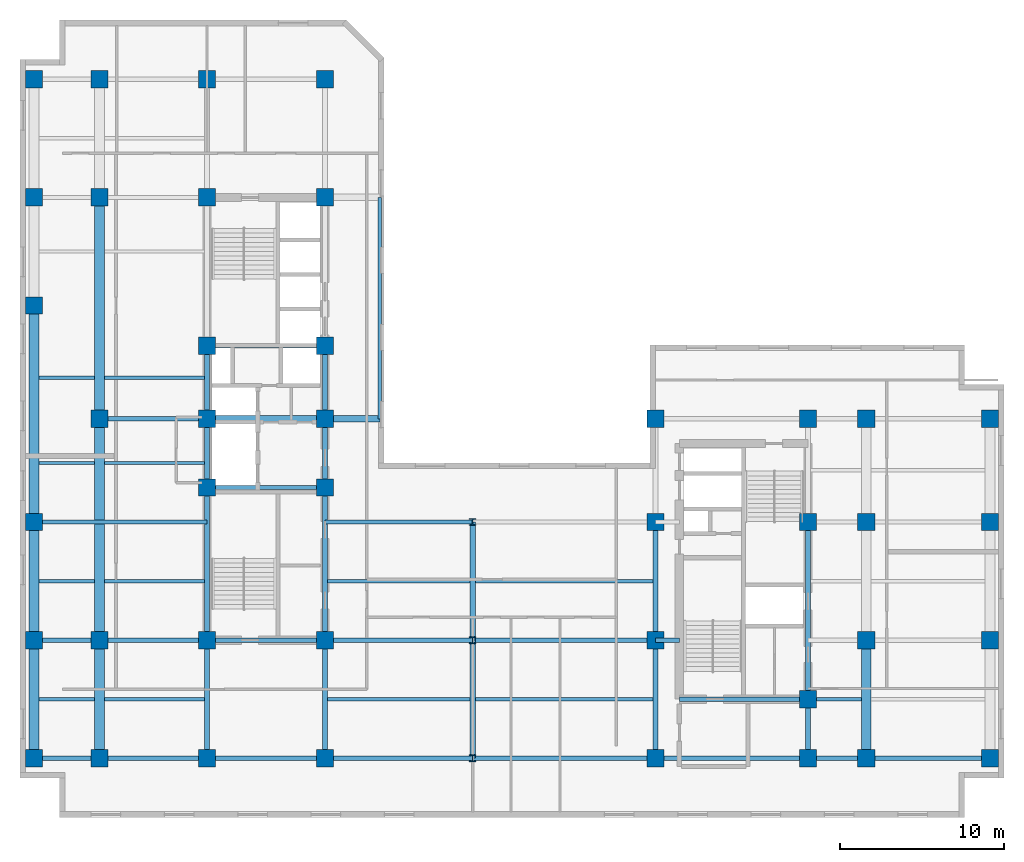
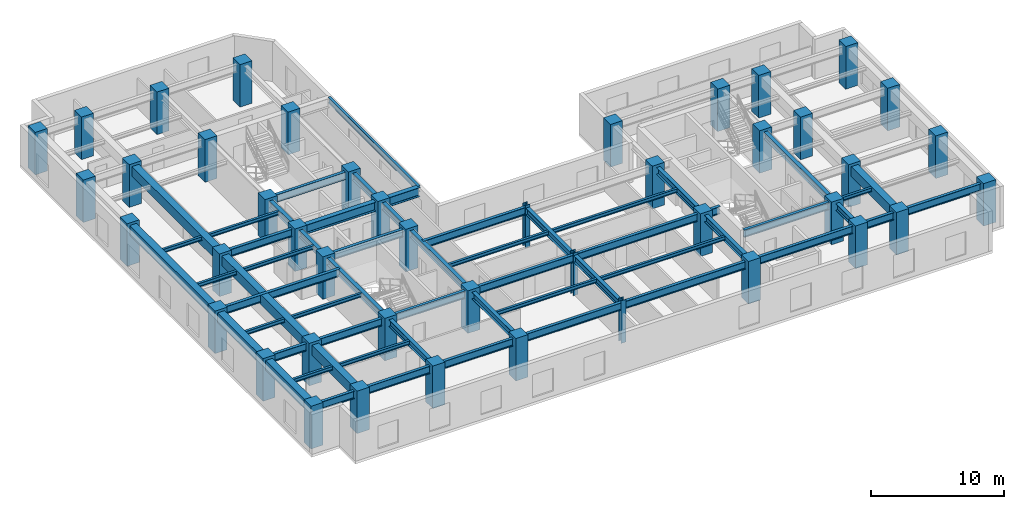
# One storey, part 1 of 9: 56 beams, 44 columns.
"""IFC4 building model written with IfcOpenShell, lengths in metres."""

from ifc_helpers import new_model, entity, si_unit, converted_unit, direction, frame, origin_with_axes, origin_2d_with_axis, place, context, subcontext, project, spatial, rectangle, i_section, extrude, material, material_profile, profile_set, type_object, element, save


model = new_model("IFC4")

# Units and contexts
model_context = context("Model", 3, precision=1e-05, world=origin_with_axes(), true_north=direction((0.0, 1.0)))
body_context = subcontext(model_context, "Body", "Model", "MODEL_VIEW")
ifc_project = project(units=[si_unit("LENGTHUNIT", "METRE"), si_unit("AREAUNIT", "SQUARE_METRE"), si_unit("VOLUMEUNIT", "CUBIC_METRE"), converted_unit("PLANEANGLEUNIT", "DEGREE", entity("IfcPlaneAngleMeasure", 0.017453292519943295), si_unit("PLANEANGLEUNIT", "RADIAN"), dimensions=[0, 0, 0, 0, 0, 0, 0]), si_unit("MASSUNIT", "GRAM", prefix="KILO"), si_unit("THERMODYNAMICTEMPERATUREUNIT", "KELVIN")], contexts=[model_context])

# Site, building, storey
site_placement = place(None, origin_with_axes())
site = spatial("IfcSite", under=ifc_project, at=site_placement, CompositionType="ELEMENT")
building_placement = place(site_placement, origin_with_axes())
building = spatial("IfcBuilding", under=site, at=building_placement, Name="Varnlund Millrace Tower", CompositionType="ELEMENT")
storey_placement = place(building_placement, frame((0.0, 0.0, 144.6), z_axis=(0.0, 0.0, 1.0), x_axis=(1.0, 0.0, 0.0)))
storey = spatial("IfcBuildingStorey", under=building, at=storey_placement, Name="L35", CompositionType="ELEMENT", Elevation=144.6)

# Columns
ifc_material_1 = material(Name="Steel ASTM A913 Grade 65", Category="steel")
ifc_material_profile_1 = material_profile(ifc_material_1, i_section(OverallWidth=0.406, OverallDepth=0.416, WebThickness=0.0298, FlangeThickness=0.048, FilletRadius=0.022, at=origin_2d_with_axis()), Name="Steel ASTM A913 Grade 65")
ifc_profile_set_1 = profile_set([ifc_material_profile_1], Name="Steel ASTM A913 Grade 65")
column_type_1 = type_object("IfcColumnType", Name="Type-Col-Int-W14X257", PredefinedType="COLUMN", material=ifc_profile_set_1)
for number, where, z_axis, x_axis, name in (
    (1, (27.6, 3.6, 0.0), (0.0, 0.0, 1.0), (1.0, 0.0, 0.0), "Type-Col-Int-W14X257"),
    (2, (27.6, 10.8, 0.0), (0.0, 0.0, 1.0), (1.0, 0.0, 0.0), "Type-Col-Int-W14X257"),
    (3, (27.6, 18.0, 0.0), (0.0, 0.0, 1.0), (1.0, 0.0, 0.0), "Type-Col-Int-W14X257"),
):
    element("IfcColumn", number, at=place(storey_placement, frame(where, z_axis=z_axis, x_axis=x_axis)), inside=storey, type_object=column_type_1, Name=name, PredefinedType="COLUMN", context=body_context, shape_type="SweptSolid", body=[
        extrude(i_section(OverallWidth=0.406, OverallDepth=0.416, WebThickness=0.0298, FlangeThickness=0.048, FilletRadius=0.022, at=origin_2d_with_axis()), origin_with_axes(), (0.0, 0.0, 1.0), 3.9),
    ])
ifc_material_2 = material(Name="Concrete C70/85", Category="concrete")
ifc_material_profile_2 = material_profile(ifc_material_2, rectangle(XDim=1.05, YDim=1.05, at=origin_2d_with_axis()), Name="Concrete C70/85")
ifc_profile_set_2 = profile_set([ifc_material_profile_2], Name="Concrete C70/85")
column_type_2 = type_object("IfcColumnType", Name="Type-Col-RC1050-C70", PredefinedType="COLUMN", material=ifc_profile_set_2)
for number, where, z_axis, x_axis, name in (
    (4, (11.4, 3.6, 0.0), (0.0, 0.0, 1.0), (1.0, 0.0, 0.0), "Type-Col-RC1050-C70"),
    (5, (11.4, 10.8, 0.0), (0.0, 0.0, 1.0), (1.0, 0.0, 0.0), "Type-Col-RC1050-C70"),
    (6, (11.4, 20.1, 0.0), (0.0, 0.0, 1.0), (1.0, 0.0, 0.0), "Type-Col-RC1050-C70"),
    (7, (11.4, 24.3, 0.0), (0.0, 0.0, 1.0), (1.0, 0.0, 0.0), "Type-Col-RC1050-C70"),
    (8, (11.4, 28.75, 0.0), (0.0, 0.0, 1.0), (1.0, 0.0, 0.0), "Type-Col-RC1050-C70"),
    (9, (11.4, 37.8, 0.0), (0.0, 0.0, 1.0), (1.0, 0.0, 0.0), "Type-Col-RC1050-C70"),
    (10, (11.4, 45.0, 0.0), (0.0, 0.0, 1.0), (1.0, 0.0, 0.0), "Type-Col-RC1050-C70"),
    (11, (18.6, 3.6, 0.0), (0.0, 0.0, 1.0), (1.0, 0.0, 0.0), "Type-Col-RC1050-C70"),
    (12, (18.6, 10.8, 0.0), (0.0, 0.0, 1.0), (1.0, 0.0, 0.0), "Type-Col-RC1050-C70"),
    (13, (18.6, 20.1, 0.0), (0.0, 0.0, 1.0), (1.0, 0.0, 0.0), "Type-Col-RC1050-C70"),
    (14, (18.6, 24.3, 0.0), (0.0, 0.0, 1.0), (1.0, 0.0, 0.0), "Type-Col-RC1050-C70"),
    (15, (18.6, 28.75, 0.0), (0.0, 0.0, 1.0), (1.0, 0.0, 0.0), "Type-Col-RC1050-C70"),
    (16, (18.6, 37.8, 0.0), (0.0, 0.0, 1.0), (1.0, 0.0, 0.0), "Type-Col-RC1050-C70"),
    (17, (18.6, 45.0, 0.0), (0.0, 0.0, 1.0), (1.0, 0.0, 0.0), "Type-Col-RC1050-C70"),
    (18, (4.85, 3.6, 0.0), (0.0, 0.0, 1.0), (1.0, 0.0, 0.0), "Type-Col-RC1050-C70"),
    (19, (4.85, 10.8, 0.0), (0.0, 0.0, 1.0), (1.0, 0.0, 0.0), "Type-Col-RC1050-C70"),
    (20, (4.85, 24.3, 0.0), (0.0, 0.0, 1.0), (1.0, 0.0, 0.0), "Type-Col-RC1050-C70"),
    (21, (4.85, 37.8, 0.0), (0.0, 0.0, 1.0), (1.0, 0.0, 0.0), "Type-Col-RC1050-C70"),
    (22, (4.85, 45.0, 0.0), (0.0, 0.0, 1.0), (1.0, 0.0, 0.0), "Type-Col-RC1050-C70"),
    (23, (0.85, 3.6, 0.0), (0.0, 0.0, 1.0), (1.0, 0.0, 0.0), "Type-Col-RC1050-C70"),
    (24, (0.85, 10.8, 0.0), (0.0, 0.0, 1.0), (1.0, 0.0, 0.0), "Type-Col-RC1050-C70"),
    (25, (0.85, 18.0, 0.0), (0.0, 0.0, 1.0), (1.0, 0.0, 0.0), "Type-Col-RC1050-C70"),
    (26, (0.85, 31.2, 0.0), (0.0, 0.0, 1.0), (1.0, 0.0, 0.0), "Type-Col-RC1050-C70"),
    (27, (0.85, 37.8, 0.0), (0.0, 0.0, 1.0), (1.0, 0.0, 0.0), "Type-Col-RC1050-C70"),
    (28, (0.85, 45.0, 0.0), (0.0, 0.0, 1.0), (1.0, 0.0, 0.0), "Type-Col-RC1050-C70"),
    (29, (38.75, 3.6, 0.0), (0.0, 0.0, 1.0), (1.0, 0.0, 0.0), "Type-Col-RC1050-C70"),
    (30, (38.75, 10.8, 0.0), (0.0, 0.0, 1.0), (1.0, 0.0, 0.0), "Type-Col-RC1050-C70"),
    (31, (38.75, 18.0, 0.0), (0.0, 0.0, 1.0), (1.0, 0.0, 0.0), "Type-Col-RC1050-C70"),
    (32, (38.75, 24.3, 0.0), (0.0, 0.0, 1.0), (1.0, 0.0, 0.0), "Type-Col-RC1050-C70"),
    (33, (48.05, 3.6, 0.0), (0.0, 0.0, 1.0), (1.0, 0.0, 0.0), "Type-Col-RC1050-C70"),
    (34, (48.05, 7.2, 0.0), (0.0, 0.0, 1.0), (1.0, 0.0, 0.0), "Type-Col-RC1050-C70"),
    (35, (48.05, 18.0, 0.0), (0.0, 0.0, 1.0), (1.0, 0.0, 0.0), "Type-Col-RC1050-C70"),
    (36, (48.05, 24.3, 0.0), (0.0, 0.0, 1.0), (1.0, 0.0, 0.0), "Type-Col-RC1050-C70"),
    (37, (51.6, 3.6, 0.0), (0.0, 0.0, 1.0), (1.0, 0.0, 0.0), "Type-Col-RC1050-C70"),
    (38, (51.6, 10.8, 0.0), (0.0, 0.0, 1.0), (1.0, 0.0, 0.0), "Type-Col-RC1050-C70"),
    (39, (51.6, 18.0, 0.0), (0.0, 0.0, 1.0), (1.0, 0.0, 0.0), "Type-Col-RC1050-C70"),
    (40, (51.6, 24.3, 0.0), (0.0, 0.0, 1.0), (1.0, 0.0, 0.0), "Type-Col-RC1050-C70"),
    (41, (59.15, 3.6, 0.0), (0.0, 0.0, 1.0), (1.0, 0.0, 0.0), "Type-Col-RC1050-C70"),
    (42, (59.15, 10.8, 0.0), (0.0, 0.0, 1.0), (1.0, 0.0, 0.0), "Type-Col-RC1050-C70"),
    (43, (59.15, 18.0, 0.0), (0.0, 0.0, 1.0), (1.0, 0.0, 0.0), "Type-Col-RC1050-C70"),
    (44, (59.15, 24.3, 0.0), (0.0, 0.0, 1.0), (1.0, 0.0, 0.0), "Type-Col-RC1050-C70"),
):
    element("IfcColumn", number, at=place(storey_placement, frame(where, z_axis=z_axis, x_axis=x_axis)), inside=storey, type_object=column_type_2, Name=name, PredefinedType="COLUMN", context=body_context, shape_type="SweptSolid", body=[
        extrude(rectangle(XDim=1.05, YDim=1.05, at=origin_2d_with_axis()), origin_with_axes(), (0.0, 0.0, 1.0), 3.9),
    ])

# Beams
ifc_material_3 = material(Name="Steel ASTM A992 Grade 50", Category="steel")
ifc_material_profile_3 = material_profile(ifc_material_3, i_section(OverallWidth=0.209, OverallDepth=0.533, WebThickness=0.0102, FlangeThickness=0.0156, FilletRadius=0.014, at=origin_2d_with_axis()), Name="Steel ASTM A992 Grade 50")
ifc_profile_set_3 = profile_set([ifc_material_profile_3], Name="Steel ASTM A992 Grade 50")
beam_type_1 = type_object("IfcBeamType", Name="Type-Beam-W21X62", PredefinedType="BEAM", material=ifc_profile_set_3)
beam_1_placement = place(storey_placement, frame((21.945, 24.3, 3.3935), z_axis=(0.0, 1.0, 0.0), x_axis=(-1.0, 0.0, 0.0)))
element("IfcBeam", 45, at=beam_1_placement, inside=storey, type_object=beam_type_1, Name="Type-Beam-W21X62", PredefinedType="BEAM", context=body_context, shape_type="SweptSolid", body=[
    extrude(i_section(OverallWidth=0.209, OverallDepth=0.533, WebThickness=0.0102, FlangeThickness=0.0156, FilletRadius=0.014, at=origin_2d_with_axis()), origin_with_axes(), (0.0, 0.0, 1.0), 13.5),
])
ifc_material_profile_4 = material_profile(ifc_material_3, i_section(OverallWidth=0.328, OverallDepth=0.628, WebThickness=0.0165, FlangeThickness=0.0277, FilletRadius=0.018, at=origin_2d_with_axis()), Name="Steel ASTM A992 Grade 50")
ifc_profile_set_4 = profile_set([ifc_material_profile_4], Name="Steel ASTM A992 Grade 50")
beam_type_2 = type_object("IfcBeamType", Name="Type-Girder-W24X146", PredefinedType="USERDEFINED", material=ifc_profile_set_4)
beam_2_placement = place(storey_placement, frame((11.4, 3.6, 3.346), z_axis=(0.0, 1.0, 0.0), x_axis=(-1.0, 0.0, 0.0)))
element("IfcBeam", 46, at=beam_2_placement, inside=storey, type_object=beam_type_2, Name="Type-Girder-W24X146", ObjectType="GIRDER", PredefinedType="USERDEFINED", context=body_context, shape_type="SweptSolid", body=[
    extrude(i_section(OverallWidth=0.328, OverallDepth=0.628, WebThickness=0.0165, FlangeThickness=0.0277, FilletRadius=0.018, at=origin_2d_with_axis()), origin_with_axes(), (0.0, 0.0, 1.0), 7.2),
])
beam_3_placement = place(storey_placement, frame((11.4, 10.8, 3.346), z_axis=(0.0, 1.0, 0.0), x_axis=(-1.0, 0.0, 0.0)))
element("IfcBeam", 47, at=beam_3_placement, inside=storey, type_object=beam_type_2, Name="Type-Girder-W24X146", ObjectType="GIRDER", PredefinedType="USERDEFINED", context=body_context, shape_type="SweptSolid", body=[
    extrude(i_section(OverallWidth=0.328, OverallDepth=0.628, WebThickness=0.0165, FlangeThickness=0.0277, FilletRadius=0.018, at=origin_2d_with_axis()), origin_with_axes(), (0.0, 0.0, 1.0), 9.3),
])
beam_4_placement = place(storey_placement, frame((11.4, 20.1, 3.346), z_axis=(0.0, 1.0, 0.0), x_axis=(-1.0, 0.0, 0.0)))
element("IfcBeam", 48, at=beam_4_placement, inside=storey, type_object=beam_type_2, Name="Type-Girder-W24X146", ObjectType="GIRDER", PredefinedType="USERDEFINED", context=body_context, shape_type="SweptSolid", body=[
    extrude(i_section(OverallWidth=0.328, OverallDepth=0.628, WebThickness=0.0165, FlangeThickness=0.0277, FilletRadius=0.018, at=origin_2d_with_axis()), origin_with_axes(), (0.0, 0.0, 1.0), 4.2),
])
beam_5_placement = place(storey_placement, frame((11.4, 24.3, 3.346), z_axis=(0.0, 1.0, 0.0), x_axis=(-1.0, 0.0, 0.0)))
element("IfcBeam", 49, at=beam_5_placement, inside=storey, type_object=beam_type_2, Name="Type-Girder-W24X146", ObjectType="GIRDER", PredefinedType="USERDEFINED", context=body_context, shape_type="SweptSolid", body=[
    extrude(i_section(OverallWidth=0.328, OverallDepth=0.628, WebThickness=0.0165, FlangeThickness=0.0277, FilletRadius=0.018, at=origin_2d_with_axis()), origin_with_axes(), (0.0, 0.0, 1.0), 4.45),
])
beam_6_placement = place(storey_placement, frame((18.6, 3.6, 3.346), z_axis=(0.0, 1.0, 0.0), x_axis=(-1.0, 0.0, 0.0)))
element("IfcBeam", 50, at=beam_6_placement, inside=storey, type_object=beam_type_2, Name="Type-Girder-W24X146", ObjectType="GIRDER", PredefinedType="USERDEFINED", context=body_context, shape_type="SweptSolid", body=[
    extrude(i_section(OverallWidth=0.328, OverallDepth=0.628, WebThickness=0.0165, FlangeThickness=0.0277, FilletRadius=0.018, at=origin_2d_with_axis()), origin_with_axes(), (0.0, 0.0, 1.0), 7.2),
])
beam_7_placement = place(storey_placement, frame((18.6, 10.8, 3.346), z_axis=(0.0, 1.0, 0.0), x_axis=(-1.0, 0.0, 0.0)))
element("IfcBeam", 51, at=beam_7_placement, inside=storey, type_object=beam_type_2, Name="Type-Girder-W24X146", ObjectType="GIRDER", PredefinedType="USERDEFINED", context=body_context, shape_type="SweptSolid", body=[
    extrude(i_section(OverallWidth=0.328, OverallDepth=0.628, WebThickness=0.0165, FlangeThickness=0.0277, FilletRadius=0.018, at=origin_2d_with_axis()), origin_with_axes(), (0.0, 0.0, 1.0), 9.3),
])
beam_8_placement = place(storey_placement, frame((18.6, 20.1, 3.346), z_axis=(0.0, 1.0, 0.0), x_axis=(-1.0, 0.0, 0.0)))
element("IfcBeam", 52, at=beam_8_placement, inside=storey, type_object=beam_type_2, Name="Type-Girder-W24X146", ObjectType="GIRDER", PredefinedType="USERDEFINED", context=body_context, shape_type="SweptSolid", body=[
    extrude(i_section(OverallWidth=0.328, OverallDepth=0.628, WebThickness=0.0165, FlangeThickness=0.0277, FilletRadius=0.018, at=origin_2d_with_axis()), origin_with_axes(), (0.0, 0.0, 1.0), 4.2),
])
beam_9_placement = place(storey_placement, frame((18.6, 24.3, 3.346), z_axis=(0.0, 1.0, 0.0), x_axis=(-1.0, 0.0, 0.0)))
element("IfcBeam", 53, at=beam_9_placement, inside=storey, type_object=beam_type_2, Name="Type-Girder-W24X146", ObjectType="GIRDER", PredefinedType="USERDEFINED", context=body_context, shape_type="SweptSolid", body=[
    extrude(i_section(OverallWidth=0.328, OverallDepth=0.628, WebThickness=0.0165, FlangeThickness=0.0277, FilletRadius=0.018, at=origin_2d_with_axis()), origin_with_axes(), (0.0, 0.0, 1.0), 4.45),
])
for number, where, z_axis, x_axis, name in (
    (54, (27.6, 3.6, 3.346), (0.0, 1.0, 0.0), (-1.0, 0.0, 0.0), "Type-Girder-W24X146"),
    (55, (27.6, 10.8, 3.346), (0.0, 1.0, 0.0), (-1.0, 0.0, 0.0), "Type-Girder-W24X146"),
    (56, (38.75, 3.6, 3.346), (0.0, 1.0, 0.0), (-1.0, 0.0, 0.0), "Type-Girder-W24X146"),
    (57, (38.75, 10.8, 3.346), (0.0, 1.0, 0.0), (-1.0, 0.0, 0.0), "Type-Girder-W24X146"),
):
    element("IfcBeam", number, at=place(storey_placement, frame(where, z_axis=z_axis, x_axis=x_axis)), inside=storey, type_object=beam_type_2, Name=name, ObjectType="GIRDER", PredefinedType="USERDEFINED", context=body_context, shape_type="SweptSolid", body=[
        extrude(i_section(OverallWidth=0.328, OverallDepth=0.628, WebThickness=0.0165, FlangeThickness=0.0277, FilletRadius=0.018, at=origin_2d_with_axis()), origin_with_axes(), (0.0, 0.0, 1.0), 7.2),
    ])
beam_10_placement = place(storey_placement, frame((48.05, 3.6, 3.346), z_axis=(0.0, 1.0, 0.0), x_axis=(-1.0, 0.0, 0.0)))
element("IfcBeam", 58, at=beam_10_placement, inside=storey, type_object=beam_type_2, Name="Type-Girder-W24X146", ObjectType="GIRDER", PredefinedType="USERDEFINED", context=body_context, shape_type="SweptSolid", body=[
    extrude(i_section(OverallWidth=0.328, OverallDepth=0.628, WebThickness=0.0165, FlangeThickness=0.0277, FilletRadius=0.018, at=origin_2d_with_axis()), origin_with_axes(), (0.0, 0.0, 1.0), 3.6),
])
beam_11_placement = place(storey_placement, frame((48.05, 7.2, 3.346), z_axis=(0.0, 1.0, 0.0), x_axis=(-1.0, 0.0, 0.0)))
element("IfcBeam", 59, at=beam_11_placement, inside=storey, type_object=beam_type_2, Name="Type-Girder-W24X146", ObjectType="GIRDER", PredefinedType="USERDEFINED", context=body_context, shape_type="SweptSolid", body=[
    extrude(i_section(OverallWidth=0.328, OverallDepth=0.628, WebThickness=0.0165, FlangeThickness=0.0277, FilletRadius=0.018, at=origin_2d_with_axis()), origin_with_axes(), (0.0, 0.0, 1.0), 10.8),
])
ifc_material_profile_5 = material_profile(ifc_material_3, i_section(OverallWidth=0.256, OverallDepth=0.693, WebThickness=0.0145, FlangeThickness=0.0236, FilletRadius=0.018, at=origin_2d_with_axis()), Name="Steel ASTM A992 Grade 50")
ifc_profile_set_5 = profile_set([ifc_material_profile_5], Name="Steel ASTM A992 Grade 50")
beam_type_3 = type_object("IfcBeamType", Name="Type-Girder-W27X114", PredefinedType="USERDEFINED", material=ifc_profile_set_5)
beam_12_placement = place(storey_placement, frame((0.85, 3.6, 3.3135), z_axis=(1.0, 0.0, 0.0), x_axis=(0.0, 1.0, 0.0)))
element("IfcBeam", 60, at=beam_12_placement, inside=storey, type_object=beam_type_3, Name="Type-Girder-W27X114", ObjectType="GIRDER", PredefinedType="USERDEFINED", context=body_context, shape_type="SweptSolid", body=[
    extrude(i_section(OverallWidth=0.256, OverallDepth=0.693, WebThickness=0.0145, FlangeThickness=0.0236, FilletRadius=0.018, at=origin_2d_with_axis()), origin_with_axes(), (0.0, 0.0, 1.0), 4.0),
])
beam_13_placement = place(storey_placement, frame((4.85, 3.6, 3.3135), z_axis=(1.0, 0.0, 0.0), x_axis=(0.0, 1.0, 0.0)))
element("IfcBeam", 61, at=beam_13_placement, inside=storey, type_object=beam_type_3, Name="Type-Girder-W27X114", ObjectType="GIRDER", PredefinedType="USERDEFINED", context=body_context, shape_type="SweptSolid", body=[
    extrude(i_section(OverallWidth=0.256, OverallDepth=0.693, WebThickness=0.0145, FlangeThickness=0.0236, FilletRadius=0.018, at=origin_2d_with_axis()), origin_with_axes(), (0.0, 0.0, 1.0), 6.55),
])
beam_14_placement = place(storey_placement, frame((11.4, 3.6, 3.3135), z_axis=(1.0, 0.0, 0.0), x_axis=(0.0, 1.0, 0.0)))
element("IfcBeam", 62, at=beam_14_placement, inside=storey, type_object=beam_type_3, Name="Type-Girder-W27X114", ObjectType="GIRDER", PredefinedType="USERDEFINED", context=body_context, shape_type="SweptSolid", body=[
    extrude(i_section(OverallWidth=0.256, OverallDepth=0.693, WebThickness=0.0145, FlangeThickness=0.0236, FilletRadius=0.018, at=origin_2d_with_axis()), origin_with_axes(), (0.0, 0.0, 1.0), 7.2),
])
beam_15_placement = place(storey_placement, frame((18.6, 3.6, 3.3135), z_axis=(1.0, 0.0, 0.0), x_axis=(0.0, 1.0, 0.0)))
element("IfcBeam", 63, at=beam_15_placement, inside=storey, type_object=beam_type_3, Name="Type-Girder-W27X114", ObjectType="GIRDER", PredefinedType="USERDEFINED", context=body_context, shape_type="SweptSolid", body=[
    extrude(i_section(OverallWidth=0.256, OverallDepth=0.693, WebThickness=0.0145, FlangeThickness=0.0236, FilletRadius=0.018, at=origin_2d_with_axis()), origin_with_axes(), (0.0, 0.0, 1.0), 9.0),
])
beam_16_placement = place(storey_placement, frame((27.6, 3.6, 3.3135), z_axis=(1.0, 0.0, 0.0), x_axis=(0.0, 1.0, 0.0)))
element("IfcBeam", 64, at=beam_16_placement, inside=storey, type_object=beam_type_3, Name="Type-Girder-W27X114", ObjectType="GIRDER", PredefinedType="USERDEFINED", context=body_context, shape_type="SweptSolid", body=[
    extrude(i_section(OverallWidth=0.256, OverallDepth=0.693, WebThickness=0.0145, FlangeThickness=0.0236, FilletRadius=0.018, at=origin_2d_with_axis()), origin_with_axes(), (0.0, 0.0, 1.0), 11.15),
])
beam_17_placement = place(storey_placement, frame((38.75, 3.6, 3.3135), z_axis=(1.0, 0.0, 0.0), x_axis=(0.0, 1.0, 0.0)))
element("IfcBeam", 65, at=beam_17_placement, inside=storey, type_object=beam_type_3, Name="Type-Girder-W27X114", ObjectType="GIRDER", PredefinedType="USERDEFINED", context=body_context, shape_type="SweptSolid", body=[
    extrude(i_section(OverallWidth=0.256, OverallDepth=0.693, WebThickness=0.0145, FlangeThickness=0.0236, FilletRadius=0.018, at=origin_2d_with_axis()), origin_with_axes(), (0.0, 0.0, 1.0), 9.3),
])
beam_18_placement = place(storey_placement, frame((48.05, 3.6, 3.3135), z_axis=(1.0, 0.0, 0.0), x_axis=(0.0, 1.0, 0.0)))
element("IfcBeam", 66, at=beam_18_placement, inside=storey, type_object=beam_type_3, Name="Type-Girder-W27X114", ObjectType="GIRDER", PredefinedType="USERDEFINED", context=body_context, shape_type="SweptSolid", body=[
    extrude(i_section(OverallWidth=0.256, OverallDepth=0.693, WebThickness=0.0145, FlangeThickness=0.0236, FilletRadius=0.018, at=origin_2d_with_axis()), origin_with_axes(), (0.0, 0.0, 1.0), 3.55),
])
beam_19_placement = place(storey_placement, frame((51.6, 3.6, 3.3135), z_axis=(1.0, 0.0, 0.0), x_axis=(0.0, 1.0, 0.0)))
element("IfcBeam", 67, at=beam_19_placement, inside=storey, type_object=beam_type_3, Name="Type-Girder-W27X114", ObjectType="GIRDER", PredefinedType="USERDEFINED", context=body_context, shape_type="SweptSolid", body=[
    extrude(i_section(OverallWidth=0.256, OverallDepth=0.693, WebThickness=0.0145, FlangeThickness=0.0236, FilletRadius=0.018, at=origin_2d_with_axis()), origin_with_axes(), (0.0, 0.0, 1.0), 7.55),
])
beam_20_placement = place(storey_placement, frame((40.2, 7.2, 3.3135), z_axis=(1.0, 0.0, 0.0), x_axis=(0.0, 1.0, 0.0)))
element("IfcBeam", 68, at=beam_20_placement, inside=storey, type_object=beam_type_3, Name="Type-Girder-W27X114", ObjectType="GIRDER", PredefinedType="USERDEFINED", context=body_context, shape_type="SweptSolid", body=[
    extrude(i_section(OverallWidth=0.256, OverallDepth=0.693, WebThickness=0.0145, FlangeThickness=0.0236, FilletRadius=0.018, at=origin_2d_with_axis()), origin_with_axes(), (0.0, 0.0, 1.0), 7.85),
])
beam_21_placement = place(storey_placement, frame((0.85, 10.8, 3.3135), z_axis=(1.0, 0.0, 0.0), x_axis=(0.0, 1.0, 0.0)))
element("IfcBeam", 69, at=beam_21_placement, inside=storey, type_object=beam_type_3, Name="Type-Girder-W27X114", ObjectType="GIRDER", PredefinedType="USERDEFINED", context=body_context, shape_type="SweptSolid", body=[
    extrude(i_section(OverallWidth=0.256, OverallDepth=0.693, WebThickness=0.0145, FlangeThickness=0.0236, FilletRadius=0.018, at=origin_2d_with_axis()), origin_with_axes(), (0.0, 0.0, 1.0), 4.0),
])
beam_22_placement = place(storey_placement, frame((4.85, 10.8, 3.3135), z_axis=(1.0, 0.0, 0.0), x_axis=(0.0, 1.0, 0.0)))
element("IfcBeam", 70, at=beam_22_placement, inside=storey, type_object=beam_type_3, Name="Type-Girder-W27X114", ObjectType="GIRDER", PredefinedType="USERDEFINED", context=body_context, shape_type="SweptSolid", body=[
    extrude(i_section(OverallWidth=0.256, OverallDepth=0.693, WebThickness=0.0145, FlangeThickness=0.0236, FilletRadius=0.018, at=origin_2d_with_axis()), origin_with_axes(), (0.0, 0.0, 1.0), 6.55),
])
beam_23_placement = place(storey_placement, frame((11.4, 10.8, 3.3135), z_axis=(1.0, 0.0, 0.0), x_axis=(0.0, 1.0, 0.0)))
element("IfcBeam", 71, at=beam_23_placement, inside=storey, type_object=beam_type_3, Name="Type-Girder-W27X114", ObjectType="GIRDER", PredefinedType="USERDEFINED", context=body_context, shape_type="SweptSolid", body=[
    extrude(i_section(OverallWidth=0.256, OverallDepth=0.693, WebThickness=0.0145, FlangeThickness=0.0236, FilletRadius=0.018, at=origin_2d_with_axis()), origin_with_axes(), (0.0, 0.0, 1.0), 7.2),
])
beam_24_placement = place(storey_placement, frame((18.6, 10.8, 3.3135), z_axis=(1.0, 0.0, 0.0), x_axis=(0.0, 1.0, 0.0)))
element("IfcBeam", 72, at=beam_24_placement, inside=storey, type_object=beam_type_3, Name="Type-Girder-W27X114", ObjectType="GIRDER", PredefinedType="USERDEFINED", context=body_context, shape_type="SweptSolid", body=[
    extrude(i_section(OverallWidth=0.256, OverallDepth=0.693, WebThickness=0.0145, FlangeThickness=0.0236, FilletRadius=0.018, at=origin_2d_with_axis()), origin_with_axes(), (0.0, 0.0, 1.0), 9.0),
])
beam_25_placement = place(storey_placement, frame((27.6, 10.8, 3.3135), z_axis=(1.0, 0.0, 0.0), x_axis=(0.0, 1.0, 0.0)))
element("IfcBeam", 73, at=beam_25_placement, inside=storey, type_object=beam_type_3, Name="Type-Girder-W27X114", ObjectType="GIRDER", PredefinedType="USERDEFINED", context=body_context, shape_type="SweptSolid", body=[
    extrude(i_section(OverallWidth=0.256, OverallDepth=0.693, WebThickness=0.0145, FlangeThickness=0.0236, FilletRadius=0.018, at=origin_2d_with_axis()), origin_with_axes(), (0.0, 0.0, 1.0), 11.15),
])
beam_26_placement = place(storey_placement, frame((38.75, 10.8, 3.3135), z_axis=(1.0, 0.0, 0.0), x_axis=(0.0, 1.0, 0.0)))
element("IfcBeam", 74, at=beam_26_placement, inside=storey, type_object=beam_type_3, Name="Type-Girder-W27X114", ObjectType="GIRDER", PredefinedType="USERDEFINED", context=body_context, shape_type="SweptSolid", body=[
    extrude(i_section(OverallWidth=0.256, OverallDepth=0.693, WebThickness=0.0145, FlangeThickness=0.0236, FilletRadius=0.018, at=origin_2d_with_axis()), origin_with_axes(), (0.0, 0.0, 1.0), 1.45),
])
beam_27_placement = place(storey_placement, frame((0.85, 18.0, 3.3135), z_axis=(1.0, 0.0, 0.0), x_axis=(0.0, 1.0, 0.0)))
element("IfcBeam", 75, at=beam_27_placement, inside=storey, type_object=beam_type_3, Name="Type-Girder-W27X114", ObjectType="GIRDER", PredefinedType="USERDEFINED", context=body_context, shape_type="SweptSolid", body=[
    extrude(i_section(OverallWidth=0.256, OverallDepth=0.693, WebThickness=0.0145, FlangeThickness=0.0236, FilletRadius=0.018, at=origin_2d_with_axis()), origin_with_axes(), (0.0, 0.0, 1.0), 10.55),
])
beam_28_placement = place(storey_placement, frame((18.6, 18.0, 3.3135), z_axis=(1.0, 0.0, 0.0), x_axis=(0.0, 1.0, 0.0)))
element("IfcBeam", 76, at=beam_28_placement, inside=storey, type_object=beam_type_3, Name="Type-Girder-W27X114", ObjectType="GIRDER", PredefinedType="USERDEFINED", context=body_context, shape_type="SweptSolid", body=[
    extrude(i_section(OverallWidth=0.256, OverallDepth=0.693, WebThickness=0.0145, FlangeThickness=0.0236, FilletRadius=0.018, at=origin_2d_with_axis()), origin_with_axes(), (0.0, 0.0, 1.0), 9.0),
])
beam_29_placement = place(storey_placement, frame((11.4, 20.1, 3.3135), z_axis=(1.0, 0.0, 0.0), x_axis=(0.0, 1.0, 0.0)))
element("IfcBeam", 77, at=beam_29_placement, inside=storey, type_object=beam_type_3, Name="Type-Girder-W27X114", ObjectType="GIRDER", PredefinedType="USERDEFINED", context=body_context, shape_type="SweptSolid", body=[
    extrude(i_section(OverallWidth=0.256, OverallDepth=0.693, WebThickness=0.0145, FlangeThickness=0.0236, FilletRadius=0.018, at=origin_2d_with_axis()), origin_with_axes(), (0.0, 0.0, 1.0), 7.2),
])
beam_30_placement = place(storey_placement, frame((4.85, 24.3, 3.3135), z_axis=(1.0, 0.0, 0.0), x_axis=(0.0, 1.0, 0.0)))
element("IfcBeam", 78, at=beam_30_placement, inside=storey, type_object=beam_type_3, Name="Type-Girder-W27X114", ObjectType="GIRDER", PredefinedType="USERDEFINED", context=body_context, shape_type="SweptSolid", body=[
    extrude(i_section(OverallWidth=0.256, OverallDepth=0.693, WebThickness=0.0145, FlangeThickness=0.0236, FilletRadius=0.018, at=origin_2d_with_axis()), origin_with_axes(), (0.0, 0.0, 1.0), 6.55),
])
beam_31_placement = place(storey_placement, frame((11.4, 28.75, 3.3135), z_axis=(1.0, 0.0, 0.0), x_axis=(0.0, 1.0, 0.0)))
element("IfcBeam", 79, at=beam_31_placement, inside=storey, type_object=beam_type_3, Name="Type-Girder-W27X114", ObjectType="GIRDER", PredefinedType="USERDEFINED", context=body_context, shape_type="SweptSolid", body=[
    extrude(i_section(OverallWidth=0.256, OverallDepth=0.693, WebThickness=0.0145, FlangeThickness=0.0236, FilletRadius=0.018, at=origin_2d_with_axis()), origin_with_axes(), (0.0, 0.0, 1.0), 7.2),
])
ifc_material_profile_6 = material_profile(ifc_material_3, i_section(OverallWidth=0.399, OverallDepth=0.855, WebThickness=0.0182, FlangeThickness=0.0292, FilletRadius=0.022, at=origin_2d_with_axis()), Name="Steel ASTM A992 Grade 50")
ifc_profile_set_6 = profile_set([ifc_material_profile_6], Name="Steel ASTM A992 Grade 50")
beam_type_4 = type_object("IfcBeamType", Name="Type-Girder-W33X201", PredefinedType="USERDEFINED", material=ifc_profile_set_6)
beam_32_placement = place(storey_placement, frame((11.4, 24.3, 3.2325), z_axis=(1.0, 0.0, 0.0), x_axis=(0.0, 1.0, 0.0)))
element("IfcBeam", 80, at=beam_32_placement, inside=storey, type_object=beam_type_4, Name="Type-Girder-W33X201", ObjectType="GIRDER", PredefinedType="USERDEFINED", context=body_context, shape_type="SweptSolid", body=[
    extrude(i_section(OverallWidth=0.399, OverallDepth=0.855, WebThickness=0.0182, FlangeThickness=0.0292, FilletRadius=0.022, at=origin_2d_with_axis()), origin_with_axes(), (0.0, 0.0, 1.0), 10.545),
])
ifc_material_profile_7 = material_profile(ifc_material_3, i_section(OverallWidth=0.204, OverallDepth=0.35, WebThickness=0.0086, FlangeThickness=0.0151, FilletRadius=0.013, at=origin_2d_with_axis()), Name="Steel ASTM A992 Grade 50")
ifc_profile_set_7 = profile_set([ifc_material_profile_7], Name="Steel ASTM A992 Grade 50")
beam_type_5 = type_object("IfcBeamType", Name="Type-Joist-W14X48", PredefinedType="JOIST", material=ifc_profile_set_7)
for number, where, z_axis, x_axis, name in (
    (81, (1.15, 7.2, 3.485), (1.0, 0.0, 0.0), (0.0, 1.0, 0.0), "Type-Joist-W14X48"),
    (82, (1.15, 14.4, 3.485), (1.0, 0.0, 0.0), (0.0, 1.0, 0.0), "Type-Joist-W14X48"),
    (83, (1.15, 21.6, 3.485), (1.0, 0.0, 0.0), (0.0, 1.0, 0.0), "Type-Joist-W14X48"),
    (84, (1.15, 26.8, 3.485), (1.0, 0.0, 0.0), (0.0, 1.0, 0.0), "Type-Joist-W14X48"),
):
    element("IfcBeam", number, at=place(storey_placement, frame(where, z_axis=z_axis, x_axis=x_axis)), inside=storey, type_object=beam_type_5, Name=name, PredefinedType="JOIST", context=body_context, shape_type="SweptSolid", body=[
        extrude(i_section(OverallWidth=0.204, OverallDepth=0.35, WebThickness=0.0086, FlangeThickness=0.0151, FilletRadius=0.013, at=origin_2d_with_axis()), origin_with_axes(), (0.0, 0.0, 1.0), 3.4),
    ])
for number, where, z_axis, x_axis, name in (
    (85, (5.15, 7.2, 3.485), (1.0, 0.0, 0.0), (0.0, 1.0, 0.0), "Type-Joist-W14X48"),
    (86, (5.15, 14.4, 3.485), (1.0, 0.0, 0.0), (0.0, 1.0, 0.0), "Type-Joist-W14X48"),
    (87, (5.15, 21.6, 3.485), (1.0, 0.0, 0.0), (0.0, 1.0, 0.0), "Type-Joist-W14X48"),
    (88, (5.15, 26.8, 3.485), (1.0, 0.0, 0.0), (0.0, 1.0, 0.0), "Type-Joist-W14X48"),
):
    element("IfcBeam", number, at=place(storey_placement, frame(where, z_axis=z_axis, x_axis=x_axis)), inside=storey, type_object=beam_type_5, Name=name, PredefinedType="JOIST", context=body_context, shape_type="SweptSolid", body=[
        extrude(i_section(OverallWidth=0.204, OverallDepth=0.35, WebThickness=0.0086, FlangeThickness=0.0151, FilletRadius=0.013, at=origin_2d_with_axis()), origin_with_axes(), (0.0, 0.0, 1.0), 6.086),
    ])
beam_33_placement = place(storey_placement, frame((48.214, 7.2, 3.485), z_axis=(1.0, 0.0, 0.0), x_axis=(0.0, 1.0, 0.0)))
element("IfcBeam", 89, at=beam_33_placement, inside=storey, type_object=beam_type_5, Name="Type-Joist-W14X48", PredefinedType="JOIST", context=body_context, shape_type="SweptSolid", body=[
    extrude(i_section(OverallWidth=0.204, OverallDepth=0.35, WebThickness=0.0086, FlangeThickness=0.0151, FilletRadius=0.013, at=origin_2d_with_axis()), origin_with_axes(), (0.0, 0.0, 1.0), 3.086),
])
for number, where, z_axis, x_axis, name in (
    (90, (18.764, 7.2, 3.485), (1.0, 0.0, 0.0), (0.0, 1.0, 0.0), "Type-Joist-W14X48"),
    (91, (18.764, 14.4, 3.485), (1.0, 0.0, 0.0), (0.0, 1.0, 0.0), "Type-Joist-W14X48"),
):
    element("IfcBeam", number, at=place(storey_placement, frame(where, z_axis=z_axis, x_axis=x_axis)), inside=storey, type_object=beam_type_5, Name=name, PredefinedType="JOIST", context=body_context, shape_type="SweptSolid", body=[
        extrude(i_section(OverallWidth=0.204, OverallDepth=0.35, WebThickness=0.0086, FlangeThickness=0.0151, FilletRadius=0.013, at=origin_2d_with_axis()), origin_with_axes(), (0.0, 0.0, 1.0), 8.672),
    ])
for number, where, z_axis, x_axis, name in (
    (92, (27.764, 7.2, 3.485), (1.0, 0.0, 0.0), (0.0, 1.0, 0.0), "Type-Joist-W14X48"),
    (93, (27.764, 14.4, 3.485), (1.0, 0.0, 0.0), (0.0, 1.0, 0.0), "Type-Joist-W14X48"),
):
    element("IfcBeam", number, at=place(storey_placement, frame(where, z_axis=z_axis, x_axis=x_axis)), inside=storey, type_object=beam_type_5, Name=name, PredefinedType="JOIST", context=body_context, shape_type="SweptSolid", body=[
        extrude(i_section(OverallWidth=0.204, OverallDepth=0.35, WebThickness=0.0086, FlangeThickness=0.0151, FilletRadius=0.013, at=origin_2d_with_axis()), origin_with_axes(), (0.0, 0.0, 1.0), 10.822),
    ])
ifc_material_profile_8 = material_profile(ifc_material_2, rectangle(XDim=0.6, YDim=0.9, at=origin_2d_with_axis()), Name="Concrete C70/85")
ifc_profile_set_8 = profile_set([ifc_material_profile_8], Name="Concrete C70/85")
beam_type_6 = type_object("IfcBeamType", Name="Type-Spandrel-RC600X900", PredefinedType="SPANDREL", material=ifc_profile_set_8)
for number, where, z_axis, x_axis, name in (
    (94, (0.85, 3.6, 3.21), (0.0, 1.0, 0.0), (-1.0, 0.0, 0.0), "Type-Spandrel-RC600X900"),
    (95, (0.85, 10.8, 3.21), (0.0, 1.0, 0.0), (-1.0, 0.0, 0.0), "Type-Spandrel-RC600X900"),
):
    element("IfcBeam", number, at=place(storey_placement, frame(where, z_axis=z_axis, x_axis=x_axis)), inside=storey, type_object=beam_type_6, Name=name, PredefinedType="SPANDREL", context=body_context, shape_type="SweptSolid", body=[
        extrude(rectangle(XDim=0.6, YDim=0.9, at=origin_2d_with_axis()), origin_with_axes(), (0.0, 0.0, 1.0), 7.2),
    ])
beam_34_placement = place(storey_placement, frame((0.85, 18.0, 3.21), z_axis=(0.0, 1.0, 0.0), x_axis=(-1.0, 0.0, 0.0)))
element("IfcBeam", 96, at=beam_34_placement, inside=storey, type_object=beam_type_6, Name="Type-Spandrel-RC600X900", PredefinedType="SPANDREL", context=body_context, shape_type="SweptSolid", body=[
    extrude(rectangle(XDim=0.6, YDim=0.9, at=origin_2d_with_axis()), origin_with_axes(), (0.0, 0.0, 1.0), 13.2),
])
beam_35_placement = place(storey_placement, frame((4.85, 3.6, 3.21), z_axis=(0.0, 1.0, 0.0), x_axis=(-1.0, 0.0, 0.0)))
element("IfcBeam", 97, at=beam_35_placement, inside=storey, type_object=beam_type_6, Name="Type-Spandrel-RC600X900", PredefinedType="SPANDREL", context=body_context, shape_type="SweptSolid", body=[
    extrude(rectangle(XDim=0.6, YDim=0.9, at=origin_2d_with_axis()), origin_with_axes(), (0.0, 0.0, 1.0), 7.2),
])
for number, where, z_axis, x_axis, name in (
    (98, (4.85, 10.8, 3.21), (0.0, 1.0, 0.0), (-1.0, 0.0, 0.0), "Type-Spandrel-RC600X900"),
    (99, (4.85, 24.3, 3.21), (0.0, 1.0, 0.0), (-1.0, 0.0, 0.0), "Type-Spandrel-RC600X900"),
):
    element("IfcBeam", number, at=place(storey_placement, frame(where, z_axis=z_axis, x_axis=x_axis)), inside=storey, type_object=beam_type_6, Name=name, PredefinedType="SPANDREL", context=body_context, shape_type="SweptSolid", body=[
        extrude(rectangle(XDim=0.6, YDim=0.9, at=origin_2d_with_axis()), origin_with_axes(), (0.0, 0.0, 1.0), 13.5),
    ])
beam_36_placement = place(storey_placement, frame((51.6, 3.6, 3.21), z_axis=(0.0, 1.0, 0.0), x_axis=(-1.0, 0.0, 0.0)))
element("IfcBeam", 100, at=beam_36_placement, inside=storey, type_object=beam_type_6, Name="Type-Spandrel-RC600X900", PredefinedType="SPANDREL", context=body_context, shape_type="SweptSolid", body=[
    extrude(rectangle(XDim=0.6, YDim=0.9, at=origin_2d_with_axis()), origin_with_axes(), (0.0, 0.0, 1.0), 7.2),
])

save(model, "model.ifc")
